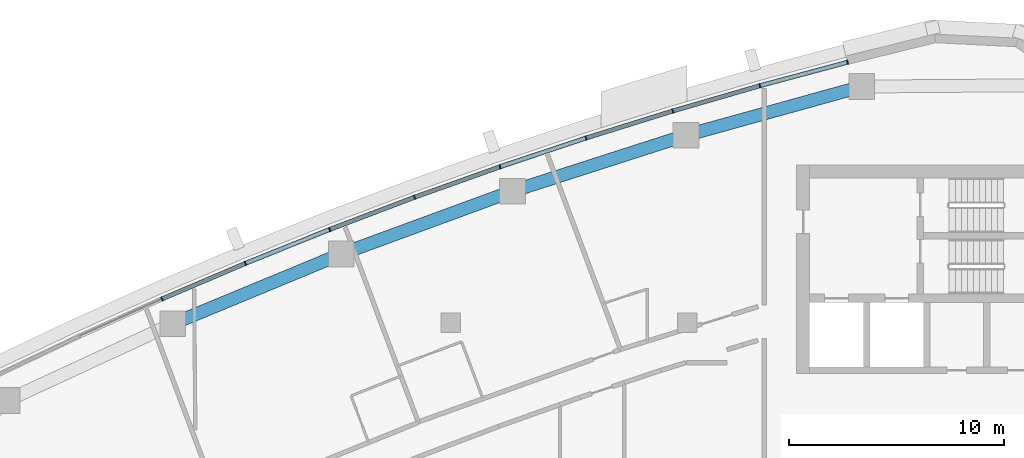
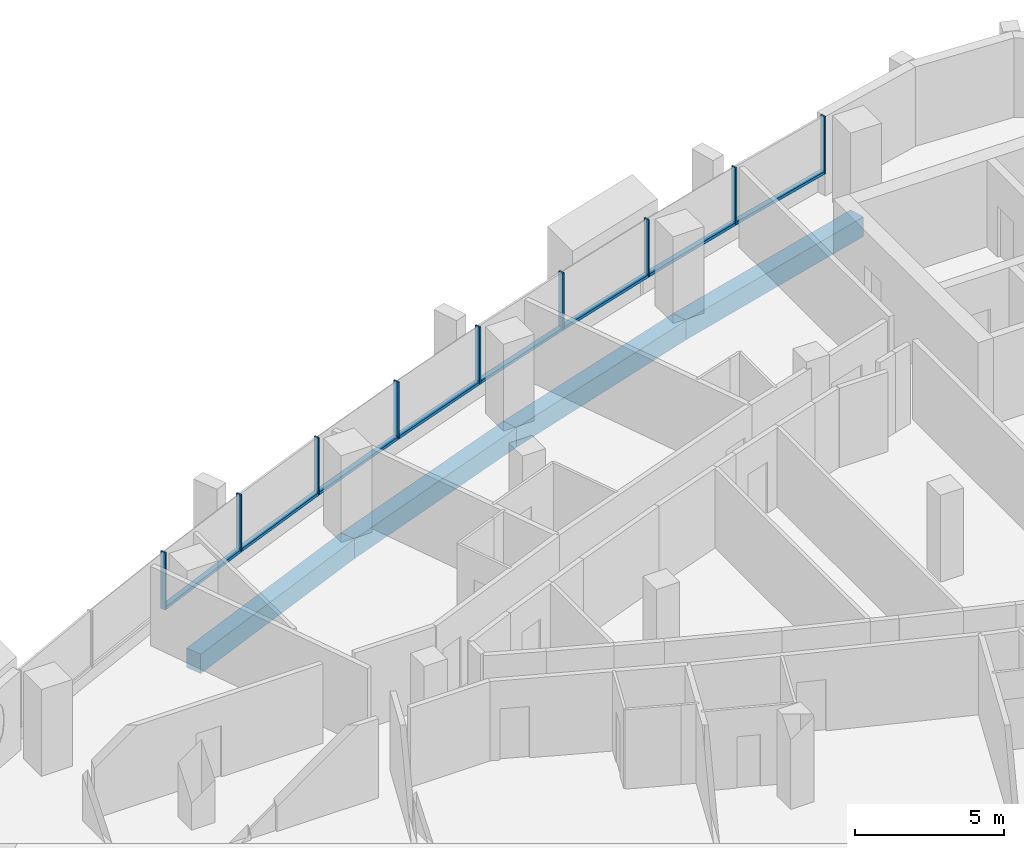
# One storey, part 6 of 15: 17 members, 4 beams, 4 elements without a shape of their own.
"""IFC4 building model written with IfcOpenShell, lengths in metres."""

from ifc_helpers import new_model, si_unit, direction, frame, origin, origin_2d, place, context, subcontext, project, spatial, rectangle, extrude, material, layer, layer_set, material_profile, profile_set, type_object, element, aggregate, save


model = new_model("IFC4")

# Units and contexts
model_context = context("Model", 3, precision=1e-05, world=origin(), true_north=direction((0.0, 1.0)))
body_context = subcontext(model_context, "Body", "Model", "MODEL_VIEW")
ifc_project = project(units=[si_unit("LENGTHUNIT", "METRE"), si_unit("AREAUNIT", "SQUARE_METRE"), si_unit("VOLUMEUNIT", "CUBIC_METRE"), si_unit("PLANEANGLEUNIT", "RADIAN"), si_unit("MASSUNIT", "GRAM", prefix="KILO")], contexts=[model_context])

# Site, building, storey
site_placement = place(None, origin())
site = spatial("IfcSite", under=ifc_project, at=site_placement, CompositionType="ELEMENT")
building_placement = place(site_placement, origin())
building = spatial("IfcBuilding", under=site, at=building_placement, Name="Ostrand Prow Hotel Tower", CompositionType="ELEMENT")
storey_placement = place(building_placement, frame((0.0, 0.0, 231.449951171875)))
storey = spatial("IfcBuildingStorey", under=building, at=storey_placement, Name="L58", CompositionType="ELEMENT", Elevation=231.449951171875)

# Beams
ifc_material_1 = material(Name="Concrete C50/60", Category="concrete")
ifc_material_profile_1 = material_profile(ifc_material_1, rectangle(XDim=0.60009765625, YDim=0.800048828125, at=origin_2d()), Name="RC 600x800")
ifc_profile_set_1 = profile_set([ifc_material_profile_1], Name="Concrete C50/60")
beam_type = type_object("IfcBeamType", Name="Edge beam 600x800 C50/60", PredefinedType="SPANDREL", material=ifc_profile_set_1)
for number, where, z_axis, x_axis, name in (
    (1, (53.12548828125, 19.99951171875, -0.699951171875), (-0.963625802813, -0.267255144297, 0.0), (0.267255144297, -0.963625802813, 0.0), "Edge beam N1-N2"),
    (2, (44.94677734375, 17.731201171875, -0.699951171875), (-0.95193933362, -0.306286638798, 0.0), (0.306286638798, -0.95193933362, 0.0), "Edge beam N2-N3"),
    (3, (36.8671875, 15.131591796875, -0.699951171875), (-0.938684959139, -0.344776083113, 0.0), (0.344776083113, -0.938684959139, 0.0), "Edge beam N3-N4"),
    (4, (28.900146484375, 12.205322265625, -0.699951171875), (-0.923890977326, -0.38265580097, 0.0), (0.38265580097, -0.923890977326, 0.0), "Edge beam N4-N5"),
):
    element("IfcBeam", number, at=place(storey_placement, frame(where, z_axis=z_axis, x_axis=x_axis)), inside=storey, type_object=beam_type, Name=name, PredefinedType="SPANDREL", context=body_context, shape_type="SweptSolid", body=[
        extrude(rectangle(XDim=0.60009765625, YDim=0.800048828125, at=origin_2d()), origin(), (0.0, 0.0, 1.0), 8.487548828125),
    ])

# Curtain wall, members
ifc_material_2 = material(Name="Insulated glass in bronze anodised frame", Category="glass")
ifc_layer = layer(ifc_material_2, 0.199951171875)
ifc_layer_set = layer_set([ifc_layer], Name="Insulated glass in bronze anodised frame")
curtain_wall_type = type_object("IfcCurtainWallType", Name="Strip curtain wall, fritted glass over bronze spandrel", PredefinedType="NOTDEFINED", material=ifc_layer_set)
curtain_wall_1_placement = place(storey_placement, origin())
curtain_wall_1 = element("IfcCurtainWall", 5, at=curtain_wall_1_placement, inside=storey, type_object=curtain_wall_type, Name="CW1 run CWN1", PredefinedType="NOTDEFINED")
ifc_material_3 = material(Name="Bronze anodised aluminium", Category="aluminium")
ifc_material_profile_2 = material_profile(ifc_material_3, rectangle(XDim=0.199951171875, YDim=0.06005859375, at=origin_2d()), Name="Mullion 60x200 bronze anodised aluminium")
ifc_profile_set_2 = profile_set([ifc_material_profile_2], Name="Bronze anodised aluminium")
member_type_1 = type_object("IfcMemberType", Name="Mullion 60x200 bronze anodised aluminium", PredefinedType="MULLION", material=ifc_profile_set_2)
member_1_placement = place(storey_placement, frame((52.465576171875, 21.1328125, 0.900146484375), z_axis=(0.0, 0.0, 1.0), x_axis=(0.258994370132, -0.965878831034, 0.0)))
member_1 = element("IfcMember", 6, at=member_1_placement, type_object=member_type_1, Name="CW1 mullion 1", PredefinedType="MULLION", context=body_context, shape_type="SweptSolid", body=[
    extrude(rectangle(XDim=0.199951171875, YDim=0.06005859375, at=origin_2d()), origin(), (0.0, 0.0, 1.0), 2.349853515625),
])
member_2_placement = place(storey_placement, frame((48.385986328125, 20.038818359375, 0.900146484375), z_axis=(0.0, 0.0, 1.0), x_axis=(0.27839270969, -0.960467333745, 0.0)))
member_2 = element("IfcMember", 7, at=member_2_placement, type_object=member_type_1, Name="CW1 mullion 2", PredefinedType="MULLION", context=body_context, shape_type="SweptSolid", body=[
    extrude(rectangle(XDim=0.199951171875, YDim=0.06005859375, at=origin_2d()), origin(), (0.0, 0.0, 1.0), 2.349853515625),
])
member_3_placement = place(storey_placement, frame((44.3291015625, 18.863037109375, 0.900146484375), z_axis=(0.0, 0.0, 1.0), x_axis=(0.27839270969, -0.960467333745, 0.0)))
member_3 = element("IfcMember", 8, at=member_3_placement, type_object=member_type_1, Name="CW1 mullion 3", PredefinedType="MULLION", context=body_context, shape_type="SweptSolid", body=[
    extrude(rectangle(XDim=0.199951171875, YDim=0.06005859375, at=origin_2d()), origin(), (0.0, 0.0, 1.0), 2.349853515625),
])

curtain_wall_2_placement = place(storey_placement, origin())
curtain_wall_2 = element("IfcCurtainWall", 9, at=curtain_wall_2_placement, inside=storey, type_object=curtain_wall_type, Name="CW1 run CWN2", PredefinedType="NOTDEFINED")
member_4_placement = place(storey_placement, frame((40.297119140625, 17.605712890625, 0.900146484375), z_axis=(0.0, 0.0, 1.0), x_axis=(0.31684118017, -0.948478606268, 0.0)))
member_4 = element("IfcMember", 10, at=member_4_placement, type_object=member_type_1, Name="CW1 mullion 2", PredefinedType="MULLION", context=body_context, shape_type="SweptSolid", body=[
    extrude(rectangle(XDim=0.199951171875, YDim=0.06005859375, at=origin_2d()), origin(), (0.0, 0.0, 1.0), 2.349853515625),
])
member_5_placement = place(storey_placement, frame((36.291015625, 16.267578125, 0.900146484375), z_axis=(0.0, 0.0, 1.0), x_axis=(0.31684118017, -0.948478606268, 0.0)))
member_5 = element("IfcMember", 11, at=member_5_placement, type_object=member_type_1, Name="CW1 mullion 3", PredefinedType="MULLION", context=body_context, shape_type="SweptSolid", body=[
    extrude(rectangle(XDim=0.199951171875, YDim=0.06005859375, at=origin_2d()), origin(), (0.0, 0.0, 1.0), 2.349853515625),
])

curtain_wall_3_placement = place(storey_placement, origin())
curtain_wall_3 = element("IfcCurtainWall", 12, at=curtain_wall_3_placement, inside=storey, type_object=curtain_wall_type, Name="CW1 run CWN3", PredefinedType="NOTDEFINED")
member_6_placement = place(storey_placement, frame((32.3125, 14.848876953125, 0.900146484375), z_axis=(0.0, 0.0, 1.0), x_axis=(0.354777361469, -0.934950813567, 0.0)))
member_6 = element("IfcMember", 13, at=member_6_placement, type_object=member_type_1, Name="CW1 mullion 2", PredefinedType="MULLION", context=body_context, shape_type="SweptSolid", body=[
    extrude(rectangle(XDim=0.199951171875, YDim=0.06005859375, at=origin_2d()), origin(), (0.0, 0.0, 1.0), 2.349853515625),
])
member_7_placement = place(storey_placement, frame((28.363525390625, 13.350341796875, 0.900146484375), z_axis=(0.0, 0.0, 1.0), x_axis=(0.354777361469, -0.934950813567, 0.0)))
member_7 = element("IfcMember", 14, at=member_7_placement, type_object=member_type_1, Name="CW1 mullion 3", PredefinedType="MULLION", context=body_context, shape_type="SweptSolid", body=[
    extrude(rectangle(XDim=0.199951171875, YDim=0.06005859375, at=origin_2d()), origin(), (0.0, 0.0, 1.0), 2.349853515625),
])

curtain_wall_4_placement = place(storey_placement, origin())
curtain_wall_4 = element("IfcCurtainWall", 15, at=curtain_wall_4_placement, inside=storey, type_object=curtain_wall_type, Name="CW1 run CWN4", PredefinedType="NOTDEFINED")
member_8_placement = place(storey_placement, frame((24.445556640625, 11.772705078125, 0.900146484375), z_axis=(0.0, 0.0, 1.0), x_axis=(0.392136433347, -0.919907070112, 0.0)))
member_8 = element("IfcMember", 16, at=member_8_placement, type_object=member_type_1, Name="CW1 mullion 2", PredefinedType="MULLION", context=body_context, shape_type="SweptSolid", body=[
    extrude(rectangle(XDim=0.199951171875, YDim=0.06005859375, at=origin_2d()), origin(), (0.0, 0.0, 1.0), 2.349853515625),
])
member_9_placement = place(storey_placement, frame((20.56005859375, 10.116455078125, 0.900146484375), z_axis=(0.0, 0.0, 1.0), x_axis=(0.392136433347, -0.919907070112, 0.0)))
member_9 = element("IfcMember", 17, at=member_9_placement, type_object=member_type_1, Name="CW1 mullion 3", PredefinedType="MULLION", context=body_context, shape_type="SweptSolid", body=[
    extrude(rectangle(XDim=0.199951171875, YDim=0.06005859375, at=origin_2d()), origin(), (0.0, 0.0, 1.0), 2.349853515625),
])

# Member
ifc_material_4 = material(Name="Bronze anodised aluminium", Category="aluminium")
ifc_material_profile_3 = material_profile(ifc_material_4, rectangle(XDim=0.199951171875, YDim=0.1201171875, at=origin_2d()), Name="Transom 120x200 bronze anodised aluminium")
ifc_profile_set_3 = profile_set([ifc_material_profile_3], Name="Bronze anodised aluminium")
member_type_2 = type_object("IfcMemberType", Name="Transom 120x200 bronze anodised aluminium", PredefinedType="USERDEFINED", material=ifc_profile_set_3)
member_10_placement = place(storey_placement, frame((52.4365234375, 21.125, 0.9599609375), z_axis=(-0.96587683346, -0.259001819657, 0.0), x_axis=(0.259001819657, -0.96587683346, 0.0)))
member_10 = element("IfcMember", 18, at=member_10_placement, type_object=member_type_2, Name="CW1 transom 1.1", ObjectType="TRANSOM", PredefinedType="USERDEFINED", context=body_context, shape_type="SweptSolid", body=[
    extrude(rectangle(XDim=0.199951171875, YDim=0.1201171875, at=origin_2d()), origin(), (0.0, 0.0, 1.0), 4.16357421875),
])

member_11_placement = place(storey_placement, frame((48.357177734375, 20.030517578125, 0.9599609375), z_axis=(-0.960468183791, -0.278389776976, 0.0), x_axis=(0.278389776976, -0.960468183791, 0.0)))
member_11 = element("IfcMember", 19, at=member_11_placement, type_object=member_type_2, Name="CW1 transom 2.1", ObjectType="TRANSOM", PredefinedType="USERDEFINED", context=body_context, shape_type="SweptSolid", body=[
    extrude(rectangle(XDim=0.199951171875, YDim=0.1201171875, at=origin_2d()), origin(), (0.0, 0.0, 1.0), 4.163818359375),
])

aggregate(curtain_wall_1, [member_1, member_2, member_3, member_10, member_11])

member_12_placement = place(storey_placement, frame((44.300537109375, 18.85400390625, 0.9599609375), z_axis=(-0.954676966691, -0.297643896746, 0.0), x_axis=(0.297643896746, -0.954676966691, 0.0)))
member_12 = element("IfcMember", 20, at=member_12_placement, type_object=member_type_2, Name="CW1 transom 1.1", ObjectType="TRANSOM", PredefinedType="USERDEFINED", context=body_context, shape_type="SweptSolid", body=[
    extrude(rectangle(XDim=0.199951171875, YDim=0.1201171875, at=origin_2d()), origin(), (0.0, 0.0, 1.0), 4.16357421875),
])

member_13_placement = place(storey_placement, frame((40.2685546875, 17.59619140625, 0.9599609375), z_axis=(-0.948489622939, -0.316808199353, 0.0), x_axis=(0.316808199353, -0.948489622939, 0.0)))
member_13 = element("IfcMember", 21, at=member_13_placement, type_object=member_type_2, Name="CW1 transom 2.1", ObjectType="TRANSOM", PredefinedType="USERDEFINED", context=body_context, shape_type="SweptSolid", body=[
    extrude(rectangle(XDim=0.199951171875, YDim=0.1201171875, at=origin_2d()), origin(), (0.0, 0.0, 1.0), 4.16357421875),
])

aggregate(curtain_wall_2, [member_4, member_5, member_12, member_13])

member_14_placement = place(storey_placement, frame((36.2626953125, 16.25732421875, 0.9599609375), z_axis=(-0.941911594104, -0.335860907061, 0.0), x_axis=(0.335860907061, -0.941911594104, 0.0)))
member_14 = element("IfcMember", 22, at=member_14_placement, type_object=member_type_2, Name="CW1 transom 1.1", ObjectType="TRANSOM", PredefinedType="USERDEFINED", context=body_context, shape_type="SweptSolid", body=[
    extrude(rectangle(XDim=0.199951171875, YDim=0.1201171875, at=origin_2d()), origin(), (0.0, 0.0, 1.0), 4.163818359375),
])

member_15_placement = place(storey_placement, frame((32.284423828125, 14.838134765625, 0.9599609375), z_axis=(-0.934960644813, -0.354751451936, 0.0), x_axis=(0.354751451936, -0.934960644813, 0.0)))
member_15 = element("IfcMember", 23, at=member_15_placement, type_object=member_type_2, Name="CW1 transom 2.1", ObjectType="TRANSOM", PredefinedType="USERDEFINED", context=body_context, shape_type="SweptSolid", body=[
    extrude(rectangle(XDim=0.199951171875, YDim=0.1201171875, at=origin_2d()), origin(), (0.0, 0.0, 1.0), 4.16357421875),
])

aggregate(curtain_wall_3, [member_6, member_7, member_14, member_15])

member_16_placement = place(storey_placement, frame((28.335693359375, 13.339111328125, 0.9599609375), z_axis=(-0.927625049372, -0.373512741119, 0.0), x_axis=(0.373512741119, -0.927625049372, 0.0)))
member_16 = element("IfcMember", 24, at=member_16_placement, type_object=member_type_2, Name="CW1 transom 1.1", ObjectType="TRANSOM", PredefinedType="USERDEFINED", context=body_context, shape_type="SweptSolid", body=[
    extrude(rectangle(XDim=0.199951171875, YDim=0.1201171875, at=origin_2d()), origin(), (0.0, 0.0, 1.0), 4.16357421875),
])

member_17_placement = place(storey_placement, frame((24.41796875, 11.760986328125, 0.9599609375), z_axis=(-0.919904541337, -0.392142365509, 0.0), x_axis=(0.392142365509, -0.919904541337, 0.0)))
member_17 = element("IfcMember", 25, at=member_17_placement, type_object=member_type_2, Name="CW1 transom 2.1", ObjectType="TRANSOM", PredefinedType="USERDEFINED", context=body_context, shape_type="SweptSolid", body=[
    extrude(rectangle(XDim=0.199951171875, YDim=0.1201171875, at=origin_2d()), origin(), (0.0, 0.0, 1.0), 4.163818359375),
])

aggregate(curtain_wall_4, [member_8, member_9, member_16, member_17])

save(model, "model.ifc")
